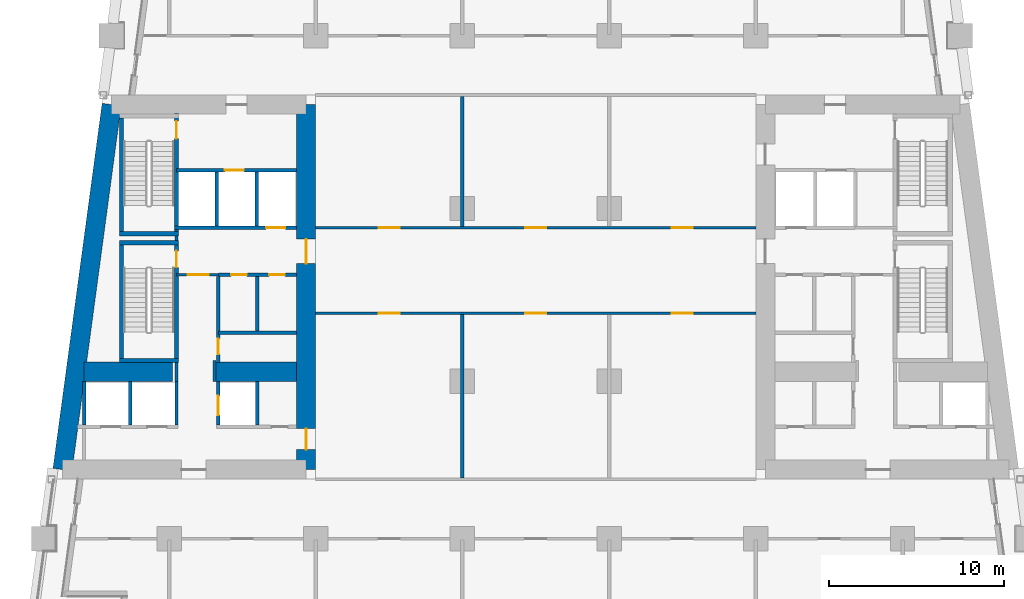
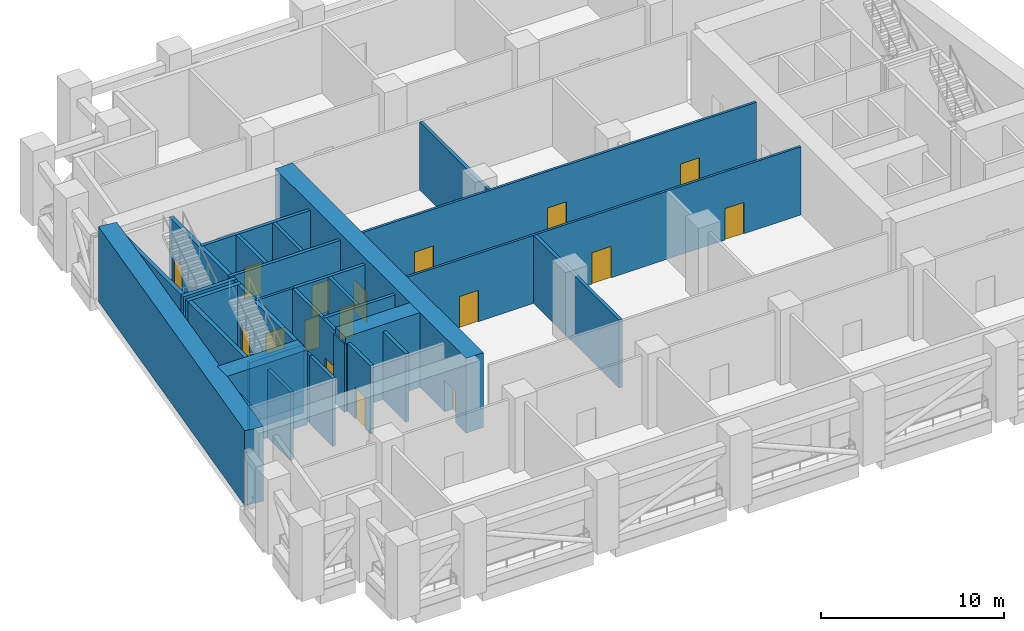
# One storey, part 5 of 12: 32 walls, 17 doors, 17 openings.
"""IFC4 building model written with IfcOpenShell, lengths in metres."""

from ifc_helpers import new_model, si_unit, direction, frame, frame_2d, origin, place, context, subcontext, project, spatial, rectangle, extrude, material, layer, layer_set, type_object, element, fill, save


model = new_model("IFC4")

# Units and contexts
model_context = context("Model", 3, precision=1e-05, world=origin(), true_north=direction((0.0, 1.0)))
body_context = subcontext(model_context, "Body", "Model", "MODEL_VIEW")
ifc_project = project(units=[si_unit("LENGTHUNIT", "METRE"), si_unit("AREAUNIT", "SQUARE_METRE"), si_unit("VOLUMEUNIT", "CUBIC_METRE"), si_unit("PLANEANGLEUNIT", "RADIAN"), si_unit("MASSUNIT", "GRAM", prefix="KILO")], contexts=[model_context])

# Site, building, storey
site_placement = place(None, origin())
site = spatial("IfcSite", under=ifc_project, at=site_placement, CompositionType="ELEMENT")
building_placement = place(site_placement, origin())
building = spatial("IfcBuilding", under=site, at=building_placement, Name="Candeia Pilgrim Tower and Theatre", CompositionType="ELEMENT")
storey_placement = place(building_placement, frame((0.0, 0.0, 81.0)))
storey = spatial("IfcBuildingStorey", under=building, at=storey_placement, Name="L18", CompositionType="ELEMENT", Elevation=81.0)

# Wall, openings, doors
ifc_material_1 = material(Name="Concrete C80/95", Category="concrete")
ifc_layer_1 = layer(ifc_material_1, 1.10009765625)
ifc_layer_set_1 = layer_set([ifc_layer_1], Name="Core wall 1100 C80/95")
wall_type_1 = type_object("IfcWallType", Name="Core wall 1100 C80/95", PredefinedType="SHEAR", material=ifc_layer_set_1)
wall_1_placement = place(storey_placement, frame((100.25, 131.85009765625, 0.0), z_axis=(0.0, 0.0, 1.0), x_axis=(0.0, -1.0, 0.0)))
wall_1 = element("IfcWall", 1, at=wall_1_placement, inside=storey, type_object=wall_type_1, Name="Core wall W2", PredefinedType="SHEAR", context=body_context, shape_type="SweptSolid", body=[
    extrude(rectangle(XDim=20.900146484375, YDim=1.10009765625, at=frame_2d((10.4501953125, 0.0))), origin(), (0.0, 0.0, 1.0), 5.0),
])
opening_1_placement = place(wall_1_placement, frame((18.550048828125, 0.0, 0.0)))
opening_1 = element("IfcOpeningElement", 2, at=opening_1_placement, cuts=wall_1, Name="Opening L18-D037", PredefinedType="OPENING", context=body_context, shape_type="SweptSolid", body=[
    extrude(rectangle(XDim=1.199951171875, YDim=2.10009765625, at=frame_2d((0.60009765625, 1.050048828125))), frame((0.0, 0.56005859375, 0.0), z_axis=(0.0, -1.0, 0.0), x_axis=(1.0, 0.0, 0.0)), (0.0, 0.0, 1.0), 1.1201171875),
])
opening_2_placement = place(wall_1_placement, frame((7.699951171875, 0.0, 0.0)))
opening_2 = element("IfcOpeningElement", 3, at=opening_2_placement, cuts=wall_1, Name="Opening L18-D041", PredefinedType="OPENING", context=body_context, shape_type="SweptSolid", body=[
    extrude(rectangle(XDim=1.39990234375, YDim=2.10009765625, at=frame_2d((0.699951171875, 1.050048828125))), frame((0.0, 0.56005859375, 0.0), z_axis=(0.0, -1.0, 0.0), x_axis=(1.0, 0.0, 0.0)), (0.0, 0.0, 1.0), 1.1201171875),
])
ifc_material_2 = material(Name="Steel fire door set", Category="steel")
door_type_1 = type_object("IfcDoorType", Name="D-1200-FD60", OperationType="NOTDEFINED", PredefinedType="DOOR", material=ifc_material_2)
door_1_placement = place(opening_1_placement, origin())
door_1 = element("IfcDoor", 4, at=door_1_placement, inside=storey, type_object=door_type_1, Name="Door L18-D037", OperationType="SINGLE_SWING_LEFT", OverallHeight=2.10009765625, OverallWidth=1.199951171875, PredefinedType="DOOR", context=body_context, shape_type="SweptSolid", body=[
    extrude(rectangle(XDim=1.199951171875, YDim=2.10009765625, at=frame_2d((0.60009765625, 1.050048828125))), frame((0.0, 0.02490234375, 0.0), z_axis=(0.0, -1.0, 0.0), x_axis=(1.0, 0.0, 0.0)), (0.0, 0.0, 1.0), 0.050048828125),
])
fill(opening_1, door_1)
door_type_2 = type_object("IfcDoorType", Name="D-1400-FD60", OperationType="NOTDEFINED", PredefinedType="DOOR", material=ifc_material_2)
door_2_placement = place(opening_2_placement, origin())
door_2 = element("IfcDoor", 5, at=door_2_placement, inside=storey, type_object=door_type_2, Name="Door L18-D041", OperationType="SINGLE_SWING_LEFT", OverallHeight=2.10009765625, OverallWidth=1.39990234375, PredefinedType="DOOR", context=body_context, shape_type="SweptSolid", body=[
    extrude(rectangle(XDim=1.39990234375, YDim=2.10009765625, at=frame_2d((0.699951171875, 1.050048828125))), frame((0.0, 0.02490234375, 0.0), z_axis=(0.0, -1.0, 0.0), x_axis=(1.0, 0.0, 0.0)), (0.0, 0.0, 1.0), 0.050048828125),
])
fill(opening_2, door_2)

# Walls
wall_2_placement = place(storey_placement, frame((86.29833984375, 110.949951171875, 0.0), z_axis=(0.0, 0.0, 1.0), x_axis=(0.133400422634, 0.99106222168, 0.0)))
element("IfcWall", 6, at=wall_2_placement, inside=storey, type_object=wall_type_1, Name="Core wall W4", PredefinedType="SHEAR", context=body_context, shape_type="SweptSolid", body=[
    extrude(rectangle(XDim=21.088623046875, YDim=1.10009765625, at=frame_2d((10.54443359375, 0.0))), origin(), (0.0, 0.0, 1.0), 5.0),
])
wall_3_placement = place(storey_placement, frame((87.523193359375, 116.550048828125, 0.0), z_axis=(0.0, 0.0, 1.0), x_axis=(1.0, 0.0, 0.0)))
element("IfcWall", 7, at=wall_3_placement, inside=storey, type_object=wall_type_1, Name="Core wall W5", PredefinedType="SHEAR", context=body_context, shape_type="SweptSolid", body=[
    extrude(rectangle(XDim=5.076904296875, YDim=1.10009765625, at=frame_2d((2.53857421875, 0.0))), origin(), (0.0, 0.0, 1.0), 5.0),
])
wall_4_placement = place(storey_placement, frame((95.0, 116.550048828125, 0.0), z_axis=(0.0, 0.0, 1.0), x_axis=(1.0, 0.0, 0.0)))
element("IfcWall", 8, at=wall_4_placement, inside=storey, type_object=wall_type_1, Name="Core wall W6", PredefinedType="SHEAR", context=body_context, shape_type="SweptSolid", body=[
    extrude(rectangle(XDim=4.699951171875, YDim=1.10009765625, at=frame_2d((2.35009765625, 0.0))), origin(), (0.0, 0.0, 1.0), 5.0),
])

# Wall, opening, door
ifc_material_3 = material(Name="Gypsum board partition on steel studs", Category="steel")
ifc_layer_2 = layer(ifc_material_3, 0.14990234375)
ifc_layer_set_2 = layer_set([ifc_layer_2], Name="PW-150 lobby wall")
wall_type_2 = type_object("IfcWallType", Name="PW-150 lobby wall", PredefinedType="PARTITIONING", material=ifc_layer_set_2)
wall_5_placement = place(storey_placement, frame((92.826904296875, 122.10009765625, 0.0), z_axis=(0.0, 0.0, 1.0), x_axis=(1.0, 0.0, 0.0)))
wall_5 = element("IfcWall", 9, at=wall_5_placement, inside=storey, type_object=wall_type_2, Name="Lobby wall L18-014", PredefinedType="PARTITIONING", context=body_context, shape_type="SweptSolid", body=[
    extrude(rectangle(XDim=2.400146484375, YDim=0.14990234375, at=frame_2d((1.2001953125, 0.0))), origin(), (0.0, 0.0, 1.0), 4.550048828125),
])
opening_3_placement = place(wall_5_placement, frame((0.64990234375, 0.0, 0.0)))
opening_3 = element("IfcOpeningElement", 10, at=opening_3_placement, cuts=wall_5, Name="Opening L18-D021", PredefinedType="OPENING", context=body_context, shape_type="SweptSolid", body=[
    extrude(rectangle(XDim=1.199951171875, YDim=2.10009765625, at=frame_2d((0.60009765625, 1.050048828125))), frame((0.0, 0.0849609375, 0.0), z_axis=(0.0, -1.0, 0.0), x_axis=(1.0, 0.0, 0.0)), (0.0, 0.0, 1.0), 0.169921875),
])
door_3_placement = place(opening_3_placement, origin())
door_3 = element("IfcDoor", 11, at=door_3_placement, inside=storey, type_object=door_type_1, Name="Door L18-D021", OperationType="SINGLE_SWING_LEFT", OverallHeight=2.10009765625, OverallWidth=1.199951171875, PredefinedType="DOOR", context=body_context, shape_type="SweptSolid", body=[
    extrude(rectangle(XDim=1.199951171875, YDim=2.10009765625, at=frame_2d((0.60009765625, 1.050048828125))), frame((0.0, 0.02490234375, 0.0), z_axis=(0.0, -1.0, 0.0), x_axis=(1.0, 0.0, 0.0)), (0.0, 0.0, 1.0), 0.050048828125),
])
fill(opening_3, door_3)

# Walls
wall_6_placement = place(storey_placement, frame((92.826904296875, 116.0, 0.0), z_axis=(0.0, 0.0, 1.0), x_axis=(0.0, 1.0, 0.0)))
element("IfcWall", 12, at=wall_6_placement, inside=storey, type_object=wall_type_2, Name="Lobby wall L18-039", PredefinedType="PARTITIONING", context=body_context, shape_type="SweptSolid", body=[
    extrude(rectangle(XDim=1.070068359375, YDim=0.14990234375, at=frame_2d((0.53515625, 0.0))), origin(), (0.0, 0.0, 1.0), 4.550048828125),
])
wall_7_placement = place(storey_placement, frame((92.826904296875, 124.074951171875, 0.0), z_axis=(0.0, 0.0, 1.0), x_axis=(0.0, 1.0, 0.0)))
element("IfcWall", 13, at=wall_7_placement, inside=storey, type_object=wall_type_2, Name="Lobby wall L18-040", PredefinedType="PARTITIONING", context=body_context, shape_type="SweptSolid", body=[
    extrude(rectangle(XDim=0.25, YDim=0.14990234375, at=frame_2d((0.125, 0.0))), origin(), (0.0, 0.0, 1.0), 4.550048828125),
])
wall_8_placement = place(storey_placement, frame((95.0, 116.0, 0.0), z_axis=(0.0, 0.0, 1.0), x_axis=(0.0, 1.0, 0.0)))
element("IfcWall", 14, at=wall_8_placement, inside=storey, type_object=wall_type_2, Name="Lobby wall L18-043", PredefinedType="PARTITIONING", context=body_context, shape_type="SweptSolid", body=[
    extrude(rectangle(XDim=1.199951171875, YDim=0.14990234375, at=frame_2d((0.60009765625, 0.0))), origin(), (0.0, 0.0, 1.0), 4.550048828125),
])

# Wall, openings, doors
ifc_layer_3 = layer(ifc_material_3, 0.14990234375)
ifc_layer_set_3 = layer_set([ifc_layer_3], Name="PW-150 unit wall")
wall_type_3 = type_object("IfcWallType", Name="PW-150 unit wall", PredefinedType="PARTITIONING", material=ifc_layer_set_3)
wall_9_placement = place(storey_placement, frame((100.800048828125, 119.89990234375, 0.0), z_axis=(0.0, 0.0, 1.0), x_axis=(1.0, 0.0, 0.0)))
wall_9 = element("IfcWall", 15, at=wall_9_placement, inside=storey, type_object=wall_type_3, Name="Unit wall L18-011", PredefinedType="PARTITIONING", context=body_context, shape_type="SweptSolid", body=[
    extrude(rectangle(XDim=25.199951171875, YDim=0.14990234375, at=frame_2d((12.60009765625, 0.0))), origin(), (0.0, 0.0, 1.0), 4.550048828125),
])
opening_4_placement = place(wall_9_placement, frame((3.60009765625, 0.0, 0.0)))
opening_4 = element("IfcOpeningElement", 16, at=opening_4_placement, cuts=wall_9, Name="Opening L18-D015", PredefinedType="OPENING", context=body_context, shape_type="SweptSolid", body=[
    extrude(rectangle(XDim=1.199951171875, YDim=2.10009765625, at=frame_2d((0.60009765625, 1.050048828125))), frame((0.0, 0.0849609375, 0.0), z_axis=(0.0, -1.0, 0.0), x_axis=(1.0, 0.0, 0.0)), (0.0, 0.0, 1.0), 0.169921875),
])
opening_5_placement = place(wall_9_placement, frame((12.0, 0.0, 0.0)))
opening_5 = element("IfcOpeningElement", 17, at=opening_5_placement, cuts=wall_9, Name="Opening L18-D017", PredefinedType="OPENING", context=body_context, shape_type="SweptSolid", body=[
    extrude(rectangle(XDim=1.199951171875, YDim=2.10009765625, at=frame_2d((0.60009765625, 1.050048828125))), frame((0.0, 0.0849609375, 0.0), z_axis=(0.0, -1.0, 0.0), x_axis=(1.0, 0.0, 0.0)), (0.0, 0.0, 1.0), 0.169921875),
])
opening_6_placement = place(wall_9_placement, frame((20.39990234375, 0.0, 0.0)))
opening_6 = element("IfcOpeningElement", 18, at=opening_6_placement, cuts=wall_9, Name="Opening L18-D019", PredefinedType="OPENING", context=body_context, shape_type="SweptSolid", body=[
    extrude(rectangle(XDim=1.199951171875, YDim=2.10009765625, at=frame_2d((0.60009765625, 1.050048828125))), frame((0.0, 0.0849609375, 0.0), z_axis=(0.0, -1.0, 0.0), x_axis=(1.0, 0.0, 0.0)), (0.0, 0.0, 1.0), 0.169921875),
])
door_4_placement = place(opening_4_placement, origin())
door_4 = element("IfcDoor", 19, at=door_4_placement, inside=storey, type_object=door_type_1, Name="Door L18-D015", OperationType="SINGLE_SWING_LEFT", OverallHeight=2.10009765625, OverallWidth=1.199951171875, PredefinedType="DOOR", context=body_context, shape_type="SweptSolid", body=[
    extrude(rectangle(XDim=1.199951171875, YDim=2.10009765625, at=frame_2d((0.60009765625, 1.050048828125))), frame((0.0, 0.02490234375, 0.0), z_axis=(0.0, -1.0, 0.0), x_axis=(1.0, 0.0, 0.0)), (0.0, 0.0, 1.0), 0.050048828125),
])
fill(opening_4, door_4)
door_5_placement = place(opening_5_placement, origin())
door_5 = element("IfcDoor", 20, at=door_5_placement, inside=storey, type_object=door_type_1, Name="Door L18-D017", OperationType="SINGLE_SWING_LEFT", OverallHeight=2.10009765625, OverallWidth=1.199951171875, PredefinedType="DOOR", context=body_context, shape_type="SweptSolid", body=[
    extrude(rectangle(XDim=1.199951171875, YDim=2.10009765625, at=frame_2d((0.60009765625, 1.050048828125))), frame((0.0, 0.02490234375, 0.0), z_axis=(0.0, -1.0, 0.0), x_axis=(1.0, 0.0, 0.0)), (0.0, 0.0, 1.0), 0.050048828125),
])
fill(opening_5, door_5)
door_6_placement = place(opening_6_placement, origin())
door_6 = element("IfcDoor", 21, at=door_6_placement, inside=storey, type_object=door_type_1, Name="Door L18-D019", OperationType="SINGLE_SWING_LEFT", OverallHeight=2.10009765625, OverallWidth=1.199951171875, PredefinedType="DOOR", context=body_context, shape_type="SweptSolid", body=[
    extrude(rectangle(XDim=1.199951171875, YDim=2.10009765625, at=frame_2d((0.60009765625, 1.050048828125))), frame((0.0, 0.02490234375, 0.0), z_axis=(0.0, -1.0, 0.0), x_axis=(1.0, 0.0, 0.0)), (0.0, 0.0, 1.0), 0.050048828125),
])
fill(opening_6, door_6)

wall_10_placement = place(storey_placement, frame((100.800048828125, 124.800048828125, 0.0), z_axis=(0.0, 0.0, 1.0), x_axis=(1.0, 0.0, 0.0)))
wall_10 = element("IfcWall", 22, at=wall_10_placement, inside=storey, type_object=wall_type_3, Name="Unit wall L18-023", PredefinedType="PARTITIONING", context=body_context, shape_type="SweptSolid", body=[
    extrude(rectangle(XDim=25.199951171875, YDim=0.14990234375, at=frame_2d((12.60009765625, 0.0))), origin(), (0.0, 0.0, 1.0), 4.550048828125),
])
opening_7_placement = place(wall_10_placement, frame((3.60009765625, 0.0, 0.0)))
opening_7 = element("IfcOpeningElement", 23, at=opening_7_placement, cuts=wall_10, Name="Opening L18-D016", PredefinedType="OPENING", context=body_context, shape_type="SweptSolid", body=[
    extrude(rectangle(XDim=1.199951171875, YDim=2.10009765625, at=frame_2d((0.60009765625, 1.050048828125))), frame((0.0, 0.0849609375, 0.0), z_axis=(0.0, -1.0, 0.0), x_axis=(1.0, 0.0, 0.0)), (0.0, 0.0, 1.0), 0.169921875),
])
opening_8_placement = place(wall_10_placement, frame((12.0, 0.0, 0.0)))
opening_8 = element("IfcOpeningElement", 24, at=opening_8_placement, cuts=wall_10, Name="Opening L18-D018", PredefinedType="OPENING", context=body_context, shape_type="SweptSolid", body=[
    extrude(rectangle(XDim=1.199951171875, YDim=2.10009765625, at=frame_2d((0.60009765625, 1.050048828125))), frame((0.0, 0.0849609375, 0.0), z_axis=(0.0, -1.0, 0.0), x_axis=(1.0, 0.0, 0.0)), (0.0, 0.0, 1.0), 0.169921875),
])
opening_9_placement = place(wall_10_placement, frame((20.39990234375, 0.0, 0.0)))
opening_9 = element("IfcOpeningElement", 25, at=opening_9_placement, cuts=wall_10, Name="Opening L18-D020", PredefinedType="OPENING", context=body_context, shape_type="SweptSolid", body=[
    extrude(rectangle(XDim=1.199951171875, YDim=2.10009765625, at=frame_2d((0.60009765625, 1.050048828125))), frame((0.0, 0.0849609375, 0.0), z_axis=(0.0, -1.0, 0.0), x_axis=(1.0, 0.0, 0.0)), (0.0, 0.0, 1.0), 0.169921875),
])
door_7_placement = place(opening_7_placement, origin())
door_7 = element("IfcDoor", 26, at=door_7_placement, inside=storey, type_object=door_type_1, Name="Door L18-D016", OperationType="SINGLE_SWING_RIGHT", OverallHeight=2.10009765625, OverallWidth=1.199951171875, PredefinedType="DOOR", context=body_context, shape_type="SweptSolid", body=[
    extrude(rectangle(XDim=1.199951171875, YDim=2.10009765625, at=frame_2d((0.60009765625, 1.050048828125))), frame((0.0, 0.02490234375, 0.0), z_axis=(0.0, -1.0, 0.0), x_axis=(1.0, 0.0, 0.0)), (0.0, 0.0, 1.0), 0.050048828125),
])
fill(opening_7, door_7)
door_8_placement = place(opening_8_placement, origin())
door_8 = element("IfcDoor", 27, at=door_8_placement, inside=storey, type_object=door_type_1, Name="Door L18-D018", OperationType="SINGLE_SWING_RIGHT", OverallHeight=2.10009765625, OverallWidth=1.199951171875, PredefinedType="DOOR", context=body_context, shape_type="SweptSolid", body=[
    extrude(rectangle(XDim=1.199951171875, YDim=2.10009765625, at=frame_2d((0.60009765625, 1.050048828125))), frame((0.0, 0.02490234375, 0.0), z_axis=(0.0, -1.0, 0.0), x_axis=(1.0, 0.0, 0.0)), (0.0, 0.0, 1.0), 0.050048828125),
])
fill(opening_8, door_8)
door_9_placement = place(opening_9_placement, origin())
door_9 = element("IfcDoor", 28, at=door_9_placement, inside=storey, type_object=door_type_1, Name="Door L18-D020", OperationType="SINGLE_SWING_RIGHT", OverallHeight=2.10009765625, OverallWidth=1.199951171875, PredefinedType="DOOR", context=body_context, shape_type="SweptSolid", body=[
    extrude(rectangle(XDim=1.199951171875, YDim=2.10009765625, at=frame_2d((0.60009765625, 1.050048828125))), frame((0.0, 0.02490234375, 0.0), z_axis=(0.0, -1.0, 0.0), x_axis=(1.0, 0.0, 0.0)), (0.0, 0.0, 1.0), 0.050048828125),
])
fill(opening_9, door_9)

# Walls
ifc_layer_4 = layer(ifc_material_3, 0.199951171875)
ifc_layer_set_4 = layer_set([ifc_layer_4], Name="PW-200 party wall")
wall_type_4 = type_object("IfcWallType", Name="PW-200 party wall", PredefinedType="PARTITIONING", material=ifc_layer_set_4)
wall_11_placement = place(storey_placement, frame((109.199951171875, 110.47509765625, 0.0), z_axis=(0.0, 0.0, 1.0), x_axis=(0.0, 1.0, 0.0)))
element("IfcWall", 29, at=wall_11_placement, inside=storey, type_object=wall_type_4, Name="Party wall L18-053", PredefinedType="PARTITIONING", context=body_context, shape_type="SweptSolid", body=[
    extrude(rectangle(XDim=9.349853515625, YDim=0.199951171875, at=frame_2d((4.6748046875, 0.0))), origin(), (0.0, 0.0, 1.0), 4.550048828125),
])
wall_12_placement = place(storey_placement, frame((109.199951171875, 124.875, 0.0), z_axis=(0.0, 0.0, 1.0), x_axis=(0.0, 1.0, 0.0)))
element("IfcWall", 30, at=wall_12_placement, inside=storey, type_object=wall_type_4, Name="Party wall L18-054", PredefinedType="PARTITIONING", context=body_context, shape_type="SweptSolid", body=[
    extrude(rectangle(XDim=7.449951171875, YDim=0.199951171875, at=frame_2d((3.72509765625, 0.0))), origin(), (0.0, 0.0, 1.0), 4.550048828125),
])
ifc_material_4 = material(Name="Concrete C40/50", Category="concrete")
ifc_layer_5 = layer(ifc_material_4, 0.199951171875)
ifc_layer_set_5 = layer_set([ifc_layer_5], Name="SW-200 shaft wall")
wall_type_5 = type_object("IfcWallType", Name="SW-200 shaft wall", PredefinedType="PARTITIONING", material=ifc_layer_set_5)
wall_13_placement = place(storey_placement, frame((95.22705078125, 118.800048828125, 0.0), z_axis=(0.0, 0.0, 1.0), x_axis=(1.0, 0.0, 0.0)))
element("IfcWall", 31, at=wall_13_placement, inside=storey, type_object=wall_type_5, Name="Shaft wall L18-009", PredefinedType="PARTITIONING", context=body_context, shape_type="SweptSolid", body=[
    extrude(rectangle(XDim=4.472900390625, YDim=0.199951171875, at=frame_2d((2.236328125, 0.0))), origin(), (0.0, 0.0, 1.0), 4.550048828125),
])

# Wall, openings, doors
wall_14_placement = place(storey_placement, frame((95.22705078125, 122.10009765625, 0.0), z_axis=(0.0, 0.0, 1.0), x_axis=(1.0, 0.0, 0.0)))
wall_14 = element("IfcWall", 32, at=wall_14_placement, inside=storey, type_object=wall_type_5, Name="Shaft wall L18-012", PredefinedType="PARTITIONING", context=body_context, shape_type="SweptSolid", body=[
    extrude(rectangle(XDim=4.472900390625, YDim=0.199951171875, at=frame_2d((2.236328125, 0.0))), origin(), (0.0, 0.0, 1.0), 4.550048828125),
])
opening_10_placement = place(wall_14_placement, frame((0.73193359375, 0.0, 0.0)))
opening_10 = element("IfcOpeningElement", 33, at=opening_10_placement, cuts=wall_14, Name="Opening L18-D022", PredefinedType="OPENING", context=body_context, shape_type="SweptSolid", body=[
    extrude(rectangle(XDim=0.89990234375, YDim=2.10009765625, at=frame_2d((0.449951171875, 1.050048828125))), frame((0.0, 0.10986328125, 0.0), z_axis=(0.0, -1.0, 0.0), x_axis=(1.0, 0.0, 0.0)), (0.0, 0.0, 1.0), 0.219970703125),
])
opening_11_placement = place(wall_14_placement, frame((2.905029296875, 0.0, 0.0)))
opening_11 = element("IfcOpeningElement", 34, at=opening_11_placement, cuts=wall_14, Name="Opening L18-D023", PredefinedType="OPENING", context=body_context, shape_type="SweptSolid", body=[
    extrude(rectangle(XDim=0.89990234375, YDim=2.10009765625, at=frame_2d((0.449951171875, 1.050048828125))), frame((0.0, 0.10986328125, 0.0), z_axis=(0.0, -1.0, 0.0), x_axis=(1.0, 0.0, 0.0)), (0.0, 0.0, 1.0), 0.219970703125),
])
door_type_3 = type_object("IfcDoorType", Name="D-900-FD60", OperationType="NOTDEFINED", PredefinedType="DOOR", material=ifc_material_2)
door_10_placement = place(opening_10_placement, origin())
door_10 = element("IfcDoor", 35, at=door_10_placement, inside=storey, type_object=door_type_3, Name="Door L18-D022", OperationType="SINGLE_SWING_RIGHT", OverallHeight=2.10009765625, OverallWidth=0.89990234375, PredefinedType="DOOR", context=body_context, shape_type="SweptSolid", body=[
    extrude(rectangle(XDim=0.89990234375, YDim=2.10009765625, at=frame_2d((0.449951171875, 1.050048828125))), frame((0.0, 0.02490234375, 0.0), z_axis=(0.0, -1.0, 0.0), x_axis=(1.0, 0.0, 0.0)), (0.0, 0.0, 1.0), 0.050048828125),
])
fill(opening_10, door_10)
door_11_placement = place(opening_11_placement, origin())
door_11 = element("IfcDoor", 36, at=door_11_placement, inside=storey, type_object=door_type_3, Name="Door L18-D023", OperationType="SINGLE_SWING_LEFT", OverallHeight=2.10009765625, OverallWidth=0.89990234375, PredefinedType="DOOR", context=body_context, shape_type="SweptSolid", body=[
    extrude(rectangle(XDim=0.89990234375, YDim=2.10009765625, at=frame_2d((0.449951171875, 1.050048828125))), frame((0.0, 0.02490234375, 0.0), z_axis=(0.0, -1.0, 0.0), x_axis=(1.0, 0.0, 0.0)), (0.0, 0.0, 1.0), 0.050048828125),
])
fill(opening_11, door_11)

# Wall, opening, door
wall_15_placement = place(storey_placement, frame((92.701904296875, 124.800048828125, 0.0), z_axis=(0.0, 0.0, 1.0), x_axis=(1.0, 0.0, 0.0)))
wall_15 = element("IfcWall", 37, at=wall_15_placement, inside=storey, type_object=wall_type_5, Name="Shaft wall L18-020", PredefinedType="PARTITIONING", context=body_context, shape_type="SweptSolid", body=[
    extrude(rectangle(XDim=6.998046875, YDim=0.199951171875, at=frame_2d((3.4990234375, 0.0))), origin(), (0.0, 0.0, 1.0), 4.550048828125),
])
opening_12_placement = place(wall_15_placement, frame((5.2529296875, 0.0, 0.0)))
opening_12 = element("IfcOpeningElement", 38, at=opening_12_placement, cuts=wall_15, Name="Opening L18-LD02", PredefinedType="OPENING", context=body_context, shape_type="SweptSolid", body=[
    extrude(rectangle(XDim=1.10009765625, YDim=2.10009765625, at=frame_2d((0.550048828125, 1.050048828125))), frame((0.0, 0.10986328125, 0.0), z_axis=(0.0, -1.0, 0.0), x_axis=(1.0, 0.0, 0.0)), (0.0, 0.0, 1.0), 0.219970703125),
])
ifc_material_5 = material(Name="Glazed aluminium landing door", Category="aluminium")
door_type_4 = type_object("IfcDoorType", Name="LD-1100-EI120", OperationType="SLIDING_TO_LEFT", PredefinedType="DOOR", material=ifc_material_5)
door_12_placement = place(opening_12_placement, origin())
door_12 = element("IfcDoor", 39, at=door_12_placement, inside=storey, type_object=door_type_4, Name="Landing door 02 L18", OperationType="SLIDING_TO_LEFT", OverallHeight=2.10009765625, OverallWidth=1.10009765625, PredefinedType="DOOR", context=body_context, shape_type="SweptSolid", body=[
    extrude(rectangle(XDim=1.10009765625, YDim=2.10009765625, at=frame_2d((0.550048828125, 1.050048828125))), frame((0.0, 0.02490234375, 0.0), z_axis=(0.0, -1.0, 0.0), x_axis=(1.0, 0.0, 0.0)), (0.0, 0.0, 1.0), 0.050048828125),
])
fill(opening_12, door_12)

wall_16_placement = place(storey_placement, frame((92.826904296875, 128.10009765625, 0.0), z_axis=(0.0, 0.0, 1.0), x_axis=(1.0, 0.0, 0.0)))
wall_16 = element("IfcWall", 40, at=wall_16_placement, inside=storey, type_object=wall_type_5, Name="Shaft wall L18-024", PredefinedType="PARTITIONING", context=body_context, shape_type="SweptSolid", body=[
    extrude(rectangle(XDim=6.873046875, YDim=0.199951171875, at=frame_2d((3.4365234375, 0.0))), origin(), (0.0, 0.0, 1.0), 4.550048828125),
])
opening_13_placement = place(wall_16_placement, frame((2.763916015625, 0.0, 0.0)))
opening_13 = element("IfcOpeningElement", 41, at=opening_13_placement, cuts=wall_16, Name="Opening L18-LD01", PredefinedType="OPENING", context=body_context, shape_type="SweptSolid", body=[
    extrude(rectangle(XDim=1.10009765625, YDim=2.10009765625, at=frame_2d((0.550048828125, 1.050048828125))), frame((0.0, 0.10986328125, 0.0), z_axis=(0.0, -1.0, 0.0), x_axis=(1.0, 0.0, 0.0)), (0.0, 0.0, 1.0), 0.219970703125),
])
door_13_placement = place(opening_13_placement, origin())
door_13 = element("IfcDoor", 42, at=door_13_placement, inside=storey, type_object=door_type_4, Name="Landing door 01 L18", OperationType="SLIDING_TO_LEFT", OverallHeight=2.10009765625, OverallWidth=1.10009765625, PredefinedType="DOOR", context=body_context, shape_type="SweptSolid", body=[
    extrude(rectangle(XDim=1.10009765625, YDim=2.10009765625, at=frame_2d((0.550048828125, 1.050048828125))), frame((0.0, 0.02490234375, 0.0), z_axis=(0.0, -1.0, 0.0), x_axis=(1.0, 0.0, 0.0)), (0.0, 0.0, 1.0), 0.050048828125),
])
fill(opening_13, door_13)

# Walls
for number, where, z_axis, x_axis, name in (
    (43, (87.552001953125, 113.5, 0.0), (0.0, 0.0, 1.0), (0.0, 1.0, 0.0), "Shaft wall L18-031"),
    (44, (90.178466796875, 113.5, 0.0), (0.0, 0.0, 1.0), (0.0, 1.0, 0.0), "Shaft wall L18-035"),
    (45, (92.826904296875, 113.5, 0.0), (0.0, 0.0, 1.0), (0.0, 1.0, 0.0), "Shaft wall L18-038"),
):
    element("IfcWall", number, at=place(storey_placement, frame(where, z_axis=z_axis, x_axis=x_axis)), inside=storey, type_object=wall_type_5, Name=name, PredefinedType="PARTITIONING", context=body_context, shape_type="SweptSolid", body=[
        extrude(rectangle(XDim=2.5, YDim=0.199951171875, at=frame_2d((1.25, 0.0))), origin(), (0.0, 0.0, 1.0), 4.550048828125),
    ])
wall_17_placement = place(storey_placement, frame((95.117919921875, 124.89990234375, 0.0), z_axis=(0.0, 0.0, 1.0), x_axis=(0.0, 1.0, 0.0)))
element("IfcWall", 46, at=wall_17_placement, inside=storey, type_object=wall_type_5, Name="Shaft wall L18-044", PredefinedType="PARTITIONING", context=body_context, shape_type="SweptSolid", body=[
    extrude(rectangle(XDim=3.10009765625, YDim=0.199951171875, at=frame_2d((1.550048828125, 0.0))), origin(), (0.0, 0.0, 1.0), 4.550048828125),
])

# Wall, opening, door
wall_18_placement = place(storey_placement, frame((95.22705078125, 113.5, 0.0), z_axis=(0.0, 0.0, 1.0), x_axis=(0.0, 1.0, 0.0)))
wall_18 = element("IfcWall", 47, at=wall_18_placement, inside=storey, type_object=wall_type_5, Name="Shaft wall L18-045", PredefinedType="PARTITIONING", context=body_context, shape_type="SweptSolid", body=[
    extrude(rectangle(XDim=2.5, YDim=0.199951171875, at=frame_2d((1.25, 0.0))), origin(), (0.0, 0.0, 1.0), 4.550048828125),
])
opening_14_placement = place(wall_18_placement, frame((0.570068359375, 0.0, 0.0)))
opening_14 = element("IfcOpeningElement", 48, at=opening_14_placement, cuts=wall_18, Name="Opening L18-LD05", PredefinedType="OPENING", context=body_context, shape_type="SweptSolid", body=[
    extrude(rectangle(XDim=1.10009765625, YDim=2.10009765625, at=frame_2d((0.550048828125, 1.050048828125))), frame((0.0, 0.10986328125, 0.0), z_axis=(0.0, -1.0, 0.0), x_axis=(1.0, 0.0, 0.0)), (0.0, 0.0, 1.0), 0.219970703125),
])
door_14_placement = place(opening_14_placement, origin())
door_14 = element("IfcDoor", 49, at=door_14_placement, inside=storey, type_object=door_type_4, Name="Landing door 05 L18", OperationType="SLIDING_TO_LEFT", OverallHeight=2.10009765625, OverallWidth=1.10009765625, PredefinedType="DOOR", context=body_context, shape_type="SweptSolid", body=[
    extrude(rectangle(XDim=1.10009765625, YDim=2.10009765625, at=frame_2d((0.550048828125, 1.050048828125))), frame((0.0, 0.02490234375, 0.0), z_axis=(0.0, -1.0, 0.0), x_axis=(1.0, 0.0, 0.0)), (0.0, 0.0, 1.0), 0.050048828125),
])
fill(opening_14, door_14)

wall_19_placement = place(storey_placement, frame((95.22705078125, 117.070068359375, 0.0), z_axis=(0.0, 0.0, 1.0), x_axis=(0.0, 1.0, 0.0)))
wall_19 = element("IfcWall", 50, at=wall_19_placement, inside=storey, type_object=wall_type_5, Name="Shaft wall L18-046", PredefinedType="PARTITIONING", context=body_context, shape_type="SweptSolid", body=[
    extrude(rectangle(XDim=4.929931640625, YDim=0.199951171875, at=frame_2d((2.46484375, 0.0))), origin(), (0.0, 0.0, 1.0), 4.550048828125),
])
opening_15_placement = place(wall_19_placement, frame((0.47998046875, 0.0, 0.0)))
opening_15 = element("IfcOpeningElement", 51, at=opening_15_placement, cuts=wall_19, Name="Opening L18-D026", PredefinedType="OPENING", context=body_context, shape_type="SweptSolid", body=[
    extrude(rectangle(XDim=0.89990234375, YDim=2.10009765625, at=frame_2d((0.449951171875, 1.050048828125))), frame((0.0, 0.10986328125, 0.0), z_axis=(0.0, -1.0, 0.0), x_axis=(1.0, 0.0, 0.0)), (0.0, 0.0, 1.0), 0.219970703125),
])
door_15_placement = place(opening_15_placement, origin())
door_15 = element("IfcDoor", 52, at=door_15_placement, inside=storey, type_object=door_type_3, Name="Door L18-D026", OperationType="SINGLE_SWING_RIGHT", OverallHeight=2.10009765625, OverallWidth=0.89990234375, PredefinedType="DOOR", context=body_context, shape_type="SweptSolid", body=[
    extrude(rectangle(XDim=0.89990234375, YDim=2.10009765625, at=frame_2d((0.449951171875, 1.050048828125))), frame((0.0, 0.02490234375, 0.0), z_axis=(0.0, -1.0, 0.0), x_axis=(1.0, 0.0, 0.0)), (0.0, 0.0, 1.0), 0.050048828125),
])
fill(opening_15, door_15)

# Walls
wall_20_placement = place(storey_placement, frame((97.408935546875, 124.89990234375, 0.0), z_axis=(0.0, 0.0, 1.0), x_axis=(0.0, 1.0, 0.0)))
element("IfcWall", 53, at=wall_20_placement, inside=storey, type_object=wall_type_5, Name="Shaft wall L18-047", PredefinedType="PARTITIONING", context=body_context, shape_type="SweptSolid", body=[
    extrude(rectangle(XDim=3.10009765625, YDim=0.199951171875, at=frame_2d((1.550048828125, 0.0))), origin(), (0.0, 0.0, 1.0), 4.550048828125),
])
wall_21_placement = place(storey_placement, frame((97.46337890625, 113.5, 0.0), z_axis=(0.0, 0.0, 1.0), x_axis=(0.0, 1.0, 0.0)))
element("IfcWall", 54, at=wall_21_placement, inside=storey, type_object=wall_type_5, Name="Shaft wall L18-048", PredefinedType="PARTITIONING", context=body_context, shape_type="SweptSolid", body=[
    extrude(rectangle(XDim=2.5, YDim=0.199951171875, at=frame_2d((1.25, 0.0))), origin(), (0.0, 0.0, 1.0), 4.550048828125),
])
wall_22_placement = place(storey_placement, frame((97.46337890625, 118.89990234375, 0.0), z_axis=(0.0, 0.0, 1.0), x_axis=(0.0, 1.0, 0.0)))
element("IfcWall", 55, at=wall_22_placement, inside=storey, type_object=wall_type_5, Name="Shaft wall L18-049", PredefinedType="PARTITIONING", context=body_context, shape_type="SweptSolid", body=[
    extrude(rectangle(XDim=3.10009765625, YDim=0.199951171875, at=frame_2d((1.550048828125, 0.0))), origin(), (0.0, 0.0, 1.0), 4.550048828125),
])
ifc_layer_6 = layer(ifc_material_4, 0.25)
ifc_layer_set_6 = layer_set([ifc_layer_6], Name="SW-250 stair wall")
wall_type_6 = type_object("IfcWallType", Name="SW-250 stair wall", PredefinedType="PARTITIONING", material=ifc_layer_set_6)
for number, where, z_axis, x_axis, name in (
    (56, (89.552001953125, 117.199951171875, 0.0), (0.0, 0.0, 1.0), (1.0, 0.0, 0.0), "Stair wall L18-007"),
    (57, (89.552001953125, 123.949951171875, 0.0), (0.0, 0.0, 1.0), (1.0, 0.0, 0.0), "Stair wall L18-016"),
    (58, (89.552001953125, 124.449951171875, 0.0), (0.0, 0.0, 1.0), (1.0, 0.0, 0.0), "Stair wall L18-018"),
):
    element("IfcWall", number, at=place(storey_placement, frame(where, z_axis=z_axis, x_axis=x_axis)), inside=storey, type_object=wall_type_6, Name=name, PredefinedType="PARTITIONING", context=body_context, shape_type="SweptSolid", body=[
        extrude(rectangle(XDim=3.39990234375, YDim=0.25, at=frame_2d((1.699951171875, 0.0))), origin(), (0.0, 0.0, 1.0), 4.550048828125),
    ])
wall_23_placement = place(storey_placement, frame((89.677001953125, 117.070068359375, 0.0), z_axis=(0.0, 0.0, 1.0), x_axis=(0.0, 1.0, 0.0)))
element("IfcWall", 59, at=wall_23_placement, inside=storey, type_object=wall_type_6, Name="Stair wall L18-033", PredefinedType="PARTITIONING", context=body_context, shape_type="SweptSolid", body=[
    extrude(rectangle(XDim=6.7548828125, YDim=0.25, at=frame_2d((3.37744140625, 0.0))), origin(), (0.0, 0.0, 1.0), 4.550048828125),
])
wall_24_placement = place(storey_placement, frame((89.677001953125, 124.574951171875, 0.0), z_axis=(0.0, 0.0, 1.0), x_axis=(0.0, 1.0, 0.0)))
element("IfcWall", 60, at=wall_24_placement, inside=storey, type_object=wall_type_6, Name="Stair wall L18-034", PredefinedType="PARTITIONING", context=body_context, shape_type="SweptSolid", body=[
    extrude(rectangle(XDim=6.5, YDim=0.25, at=frame_2d((3.25, 0.0))), origin(), (0.0, 0.0, 1.0), 4.550048828125),
])

# Wall, opening, door
wall_25_placement = place(storey_placement, frame((92.826904296875, 117.070068359375, 0.0), z_axis=(0.0, 0.0, 1.0), x_axis=(0.0, 1.0, 0.0)))
wall_25 = element("IfcWall", 61, at=wall_25_placement, inside=storey, type_object=wall_type_6, Name="Stair wall L18-041", PredefinedType="PARTITIONING", context=body_context, shape_type="SweptSolid", body=[
    extrude(rectangle(XDim=6.7548828125, YDim=0.25, at=frame_2d((3.37744140625, 0.0))), origin(), (0.0, 0.0, 1.0), 4.550048828125),
])
opening_16_placement = place(wall_25_placement, frame((5.455078125, 0.0, 0.0)))
opening_16 = element("IfcOpeningElement", 62, at=opening_16_placement, cuts=wall_25, Name="Opening L18-D024", PredefinedType="OPENING", context=body_context, shape_type="SweptSolid", body=[
    extrude(rectangle(XDim=0.949951171875, YDim=2.10009765625, at=frame_2d((0.47509765625, 1.050048828125))), frame((0.0, 0.135009765625, 0.0), z_axis=(0.0, -1.0, 0.0), x_axis=(1.0, 0.0, 0.0)), (0.0, 0.0, 1.0), 0.27001953125),
])
door_type_5 = type_object("IfcDoorType", Name="D-950-FD60", OperationType="NOTDEFINED", PredefinedType="DOOR", material=ifc_material_2)
door_16_placement = place(opening_16_placement, origin())
door_16 = element("IfcDoor", 63, at=door_16_placement, inside=storey, type_object=door_type_5, Name="Door L18-D024", OperationType="SINGLE_SWING_RIGHT", OverallHeight=2.10009765625, OverallWidth=0.949951171875, PredefinedType="DOOR", context=body_context, shape_type="SweptSolid", body=[
    extrude(rectangle(XDim=0.949951171875, YDim=2.10009765625, at=frame_2d((0.47509765625, 1.050048828125))), frame((0.0, 0.02490234375, 0.0), z_axis=(0.0, -1.0, 0.0), x_axis=(1.0, 0.0, 0.0)), (0.0, 0.0, 1.0), 0.050048828125),
])
fill(opening_16, door_16)

wall_26_placement = place(storey_placement, frame((92.826904296875, 124.574951171875, 0.0), z_axis=(0.0, 0.0, 1.0), x_axis=(0.0, 1.0, 0.0)))
wall_26 = element("IfcWall", 64, at=wall_26_placement, inside=storey, type_object=wall_type_6, Name="Stair wall L18-042", PredefinedType="PARTITIONING", context=body_context, shape_type="SweptSolid", body=[
    extrude(rectangle(XDim=6.755126953125, YDim=0.25, at=frame_2d((3.37744140625, 0.0))), origin(), (0.0, 0.0, 1.0), 4.550048828125),
])
opening_17_placement = place(wall_26_placement, frame((5.324951171875, 0.0, 0.0)))
opening_17 = element("IfcOpeningElement", 65, at=opening_17_placement, cuts=wall_26, Name="Opening L18-D025", PredefinedType="OPENING", context=body_context, shape_type="SweptSolid", body=[
    extrude(rectangle(XDim=1.0, YDim=2.10009765625, at=frame_2d((0.5, 1.050048828125))), frame((0.0, 0.135009765625, 0.0), z_axis=(0.0, -1.0, 0.0), x_axis=(1.0, 0.0, 0.0)), (0.0, 0.0, 1.0), 0.27001953125),
])
door_type_6 = type_object("IfcDoorType", Name="D-1000-FD60", OperationType="NOTDEFINED", PredefinedType="DOOR", material=ifc_material_2)
door_17_placement = place(opening_17_placement, origin())
door_17 = element("IfcDoor", 66, at=door_17_placement, inside=storey, type_object=door_type_6, Name="Door L18-D025", OperationType="SINGLE_SWING_LEFT", OverallHeight=2.10009765625, OverallWidth=1.0, PredefinedType="DOOR", context=body_context, shape_type="SweptSolid", body=[
    extrude(rectangle(XDim=1.0, YDim=2.10009765625, at=frame_2d((0.5, 1.050048828125))), frame((0.0, 0.02490234375, 0.0), z_axis=(0.0, -1.0, 0.0), x_axis=(1.0, 0.0, 0.0)), (0.0, 0.0, 1.0), 0.050048828125),
])
fill(opening_17, door_17)

save(model, "model.ifc")
